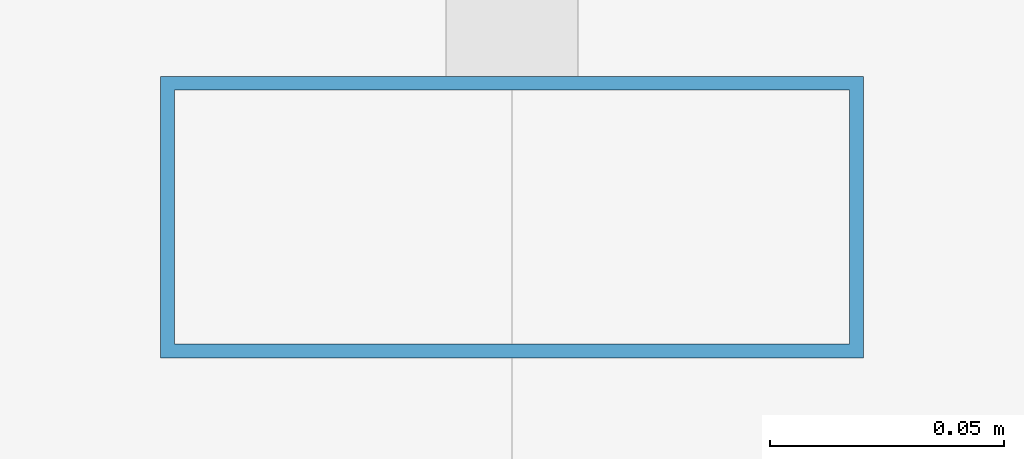
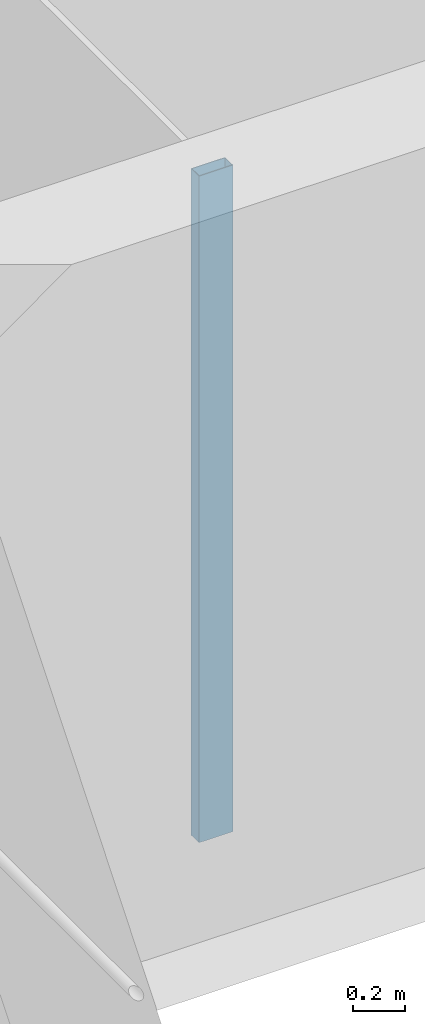
# One storey, part 13 of 62: 1 member, 1 element without a shape of its own.
"""IFC4 building model written with IfcOpenShell, lengths in metres."""

import ifcopenshell
import ifcopenshell.guid

model = None  # the IFC model being written
_history = None  # IfcOwnerHistory: only IFC2X3 demands one
_inside = {}  # id of a spatial element -> (the spatial element, [elements in it])
_under = {}  # id of a project, library or spatial element -> (it, [spatial elements below it])
_declared = {}  # id of a project -> (the project, [libraries it declares])
_typed = {}  # id of a type object -> (the type object, [elements of that type])
_made_of = {}  # id of a material, layer set ... -> (it, [elements and type objects made of it])


def new_model(schema):
    """Start an empty IFC model of exactly this schema.

    Asked for "IFC4X3", IfcOpenShell would pick the latest addendum, in which some entities
    have other attributes; the version numbers below select the first issue.
    IFC2X3 requires an IfcOwnerHistory on every rooted entity: one is made here for all.
    """
    global model, _history
    if schema == "IFC4X3":
        model = ifcopenshell.file(schema_version=(4, 3, 0, 0))
    else:
        model = ifcopenshell.file(schema=schema)
    _inside.clear()
    _under.clear()
    _declared.clear()
    _typed.clear()
    _made_of.clear()
    _history = None
    if model.schema == "IFC2X3":
        org = make("IfcOrganization", Name="unknown")
        user = make(
            "IfcPersonAndOrganization",
            ThePerson=make("IfcPerson", FamilyName="unknown"),
            TheOrganization=org,
        )
        app = make(
            "IfcApplication",
            ApplicationDeveloper=org,
            Version="unknown",
            ApplicationFullName="unknown",
            ApplicationIdentifier="unknown",
        )
        _history = make(
            "IfcOwnerHistory",
            OwningUser=user,
            OwningApplication=app,
            ChangeAction="ADDED",
            CreationDate=0,
        )
    return model


def make(cls, **values):
    """One entity of the class cls with the attributes given. An attribute that is None is left unset."""
    return model.create_entity(
        cls, **{name: value for name, value in values.items() if value is not None}
    )


def rooted(cls, **values):
    """An entity with a GlobalId (a new one), such as an element, a storey or a relation."""
    return make(cls, GlobalId=ifcopenshell.guid.new(), OwnerHistory=_history, **values)


def si_unit(unit_type, name, prefix=None):
    """IfcSIUnit, for example si_unit("LENGTHUNIT", "METRE", prefix="MILLI")."""
    return make("IfcSIUnit", UnitType=unit_type, Prefix=prefix, Name=name)


def assignment(units):
    """IfcUnitAssignment: the units of a project."""
    return None if units is None else make("IfcUnitAssignment", Units=units)


def point(xyz):
    """IfcCartesianPoint."""
    return None if xyz is None else make("IfcCartesianPoint", Coordinates=xyz)


def direction(xyz):
    """IfcDirection."""
    return None if xyz is None else make("IfcDirection", DirectionRatios=xyz)


def frame(location, z_axis=None, x_axis=None):
    """IfcAxis2Placement3D, a coordinate frame: its origin and axes. An axis left out is left unset."""
    return make(
        "IfcAxis2Placement3D",
        Location=point(location),
        Axis=direction(z_axis),
        RefDirection=direction(x_axis),
    )


def frame_2d(location, x_axis=None):
    """IfcAxis2Placement2D, a coordinate frame in the plane: its origin and x axis."""
    return make(
        "IfcAxis2Placement2D", Location=point(location), RefDirection=direction(x_axis)
    )


def origin():
    """The frame at (0, 0, 0) with its axes left unset."""
    return frame((0.0, 0.0, 0.0))


def origin_2d():
    """The frame at (0, 0) in the plane with its x axis left unset."""
    return frame_2d((0.0, 0.0))


def place(relative_to, where):
    """IfcLocalPlacement: puts the frame where relative to a parent placement (None: the world)."""
    return make(
        "IfcLocalPlacement", PlacementRelTo=relative_to, RelativePlacement=where
    )


def context(
    kind, dimensions, precision=None, world=None, true_north=None, identifier=None
):
    """IfcGeometricRepresentationContext, for example the 3D "Model" context."""
    return make(
        "IfcGeometricRepresentationContext",
        ContextIdentifier=identifier,
        ContextType=kind,
        CoordinateSpaceDimension=dimensions,
        Precision=precision,
        WorldCoordinateSystem=world,
        TrueNorth=true_north,
    )


def subcontext(parent, identifier, kind, view, scale=None):
    """IfcGeometricRepresentationSubContext, for example "Body" below "Model"."""
    return make(
        "IfcGeometricRepresentationSubContext",
        ContextIdentifier=identifier,
        ContextType=kind,
        ParentContext=parent,
        TargetScale=scale,
        TargetView=view,
    )


def project(units=None, contexts=None):
    """IfcProject with its units and contexts."""
    return rooted(
        "IfcProject",
        Name="project",
        RepresentationContexts=contexts,
        UnitsInContext=assignment(units),
    )


def spatial(cls, under=None, at=None, **own):
    """A site, building, storey or space (cls), placed at a placement, below another one or the project."""
    s = rooted(cls, ObjectPlacement=at, **own)
    if under is not None:
        _under.setdefault(under.id(), (under, []))[1].append(s)
    return s


def profile(cls, at=None, kind="AREA", **sizes):
    """A parametric profile (cls). Its sizes go by their IFC names, for example OverallWidth=200.0."""
    return make(cls, ProfileType=kind, Position=at, **sizes)


def hollow_rectangle(**sizes):
    """IfcRectangleHollowProfileDef."""
    return profile("IfcRectangleHollowProfileDef", **sizes)


def extrude(swept, where, along, depth):
    """IfcExtrudedAreaSolid: the profile swept, set in the frame where, extruded along a direction by depth."""
    return make(
        "IfcExtrudedAreaSolid",
        SweptArea=swept,
        Position=where,
        ExtrudedDirection=direction(along),
        Depth=depth,
    )


def shape(context_of_items, identifier, shape_type, items):
    """IfcShapeRepresentation: the items that make up one representation, for example the "Body"."""
    return make(
        "IfcShapeRepresentation",
        ContextOfItems=context_of_items,
        RepresentationIdentifier=identifier,
        RepresentationType=shape_type,
        Items=items,
    )


def material(Name=None, Category=None):
    """IfcMaterial."""
    return make("IfcMaterial", Name=Name, Category=Category)


def material_profile(
    of_material, cross_section, Name=None, Category=None, Priority=None
):
    """IfcMaterialProfile: a cross section and its material."""
    return make(
        "IfcMaterialProfile",
        Name=Name,
        Material=of_material,
        Profile=cross_section,
        Priority=Priority,
        Category=Category,
    )


def profile_set(profiles, Name=None, composite=None):
    """IfcMaterialProfileSet."""
    return make(
        "IfcMaterialProfileSet",
        Name=Name,
        MaterialProfiles=profiles,
        CompositeProfile=composite,
    )


def made_of(thing, what):
    """Note that an element or type object is made of a material, layer set ...; save() writes the relation."""
    if what is not None:
        _made_of.setdefault(what.id(), (what, []))[1].append(thing)
    return thing


def type_object(cls, material=None, **own):
    """A type object (cls), such as IfcWallType, which elements share."""
    return made_of(rooted(cls, **own), material)


def element(
    cls,
    number,
    at=None,
    inside=None,
    cuts=None,
    type_object=None,
    material=None,
    context=None,
    identifier="Body",
    shape_type=None,
    held_by="IfcProductDefinitionShape",
    body=None,
    shapes=None,
    **own,
):
    """One element of the class cls, such as IfcWall. Its Tag is "e" and its number.

    at: its placement. inside: the storey or other place that contains it. cuts: it is an
    opening in that element (IfcRelVoidsElement). A single representation is given by context,
    identifier, shape_type and body (its items); several are given by shapes. held_by: the class
    of the entity that holds the representations. save() writes the other relations.
    """
    e = rooted(cls, Tag="e%d" % number, ObjectPlacement=at, **own)
    if body is not None:
        shapes = [shape(context, identifier, shape_type, body)]
    if shapes is not None:
        e.Representation = make(held_by, Representations=shapes)
    if inside is not None:
        _inside.setdefault(inside.id(), (inside, []))[1].append(e)
    if cuts is not None:
        rooted(
            "IfcRelVoidsElement", RelatingBuildingElement=cuts, RelatedOpeningElement=e
        )
    if type_object is not None:
        _typed.setdefault(type_object.id(), (type_object, []))[1].append(e)
    return made_of(e, material)


def aggregate(whole, parts):
    """IfcRelAggregates: a whole, such as a stair, and the parts it consists of."""
    return rooted("IfcRelAggregates", RelatingObject=whole, RelatedObjects=parts)


def save(model, path):
    """Write the relations noted so far, then the file.

    IfcRelAggregates (storeys below a building ...), IfcRelContainedInSpatialStructure (elements
    in a storey), IfcRelDefinesByType, IfcRelAssociatesMaterial and IfcRelDeclares: one each for
    every whole, place, type object, material and project.
    """
    for whole, parts in _under.values():
        aggregate(whole, parts)
    for where, things in _inside.values():
        rooted(
            "IfcRelContainedInSpatialStructure",
            RelatedElements=things,
            RelatingStructure=where,
        )
    for kind, things in _typed.values():
        rooted("IfcRelDefinesByType", RelatedObjects=things, RelatingType=kind)
    for what, things in _made_of.values():
        rooted("IfcRelAssociatesMaterial", RelatedObjects=things, RelatingMaterial=what)
    for by, libraries in _declared.values():
        rooted("IfcRelDeclares", RelatingContext=by, RelatedDefinitions=libraries)
    model.write(path)


model = new_model("IFC4")

# Units and contexts
model_context = context("Model", 3, precision=1e-05, world=origin(), true_north=direction((0.0, 1.0)))
body_context = subcontext(model_context, "Body", "Model", "MODEL_VIEW")
ifc_project = project(units=[si_unit("LENGTHUNIT", "METRE"), si_unit("AREAUNIT", "SQUARE_METRE"), si_unit("VOLUMEUNIT", "CUBIC_METRE"), si_unit("PLANEANGLEUNIT", "RADIAN"), si_unit("MASSUNIT", "GRAM", prefix="KILO")], contexts=[model_context])

# Site, building, storey
site_placement = place(None, origin())
site = spatial("IfcSite", under=ifc_project, at=site_placement, CompositionType="ELEMENT")
building_placement = place(site_placement, origin())
building = spatial("IfcBuilding", under=site, at=building_placement, Name="Altepetl Exchange Towers", CompositionType="ELEMENT")
storey_placement = place(building_placement, frame((0.0, 0.0, 210.0)))
storey = spatial("IfcBuildingStorey", under=building, at=storey_placement, Name="L53", CompositionType="ELEMENT", Elevation=210.0)

# Curtain wall, member
ifc_material_1 = material(Name="Aluminium 6063-T6 glazing", Category="aluminium")
curtain_wall_type = type_object("IfcCurtainWallType", Name="Loggia glazing system", PredefinedType="NOTDEFINED", material=ifc_material_1)
curtain_wall_placement = place(storey_placement, origin())
curtain_wall = element("IfcCurtainWall", 1, at=curtain_wall_placement, inside=storey, type_object=curtain_wall_type, Name="CW1 run", PredefinedType="NOTDEFINED")
ifc_material_2 = material(Name="Aluminium 6063-T6", Category="aluminium")
ifc_material_profile = material_profile(ifc_material_2, hollow_rectangle(XDim=0.06005859375, YDim=0.14990234375, WallThickness=0.0029296875, at=origin_2d()), Name="Mullion 60x150 aluminium")
ifc_profile_set = profile_set([ifc_material_profile], Name="Aluminium 6063-T6")
member_type = type_object("IfcMemberType", Name="Mullion 60x150 aluminium", PredefinedType="MULLION", material=ifc_profile_set)
member_placement = place(storey_placement, frame((42.5, 58.60498046875, 0.0), z_axis=(0.0, 0.0, 1.0), x_axis=(0.0, -1.0, 0.0)))
member = element("IfcMember", 2, at=member_placement, type_object=member_type, Name="MU1 mullion", PredefinedType="MULLION", context=body_context, shape_type="SweptSolid", body=[
    extrude(hollow_rectangle(XDim=0.06005859375, YDim=0.14990234375, WallThickness=0.0029296875, at=origin_2d()), origin(), (0.0, 0.0, 1.0), 3.10009765625),
])
aggregate(curtain_wall, [member])

save(model, "model.ifc")
